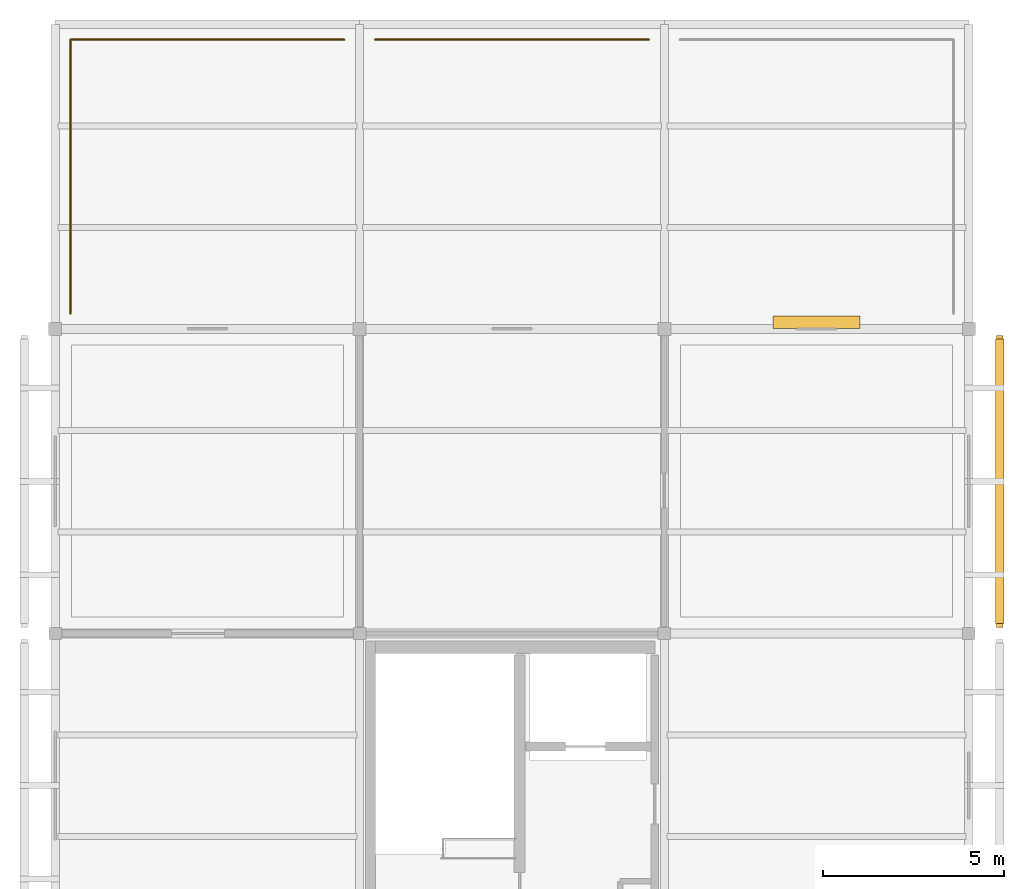
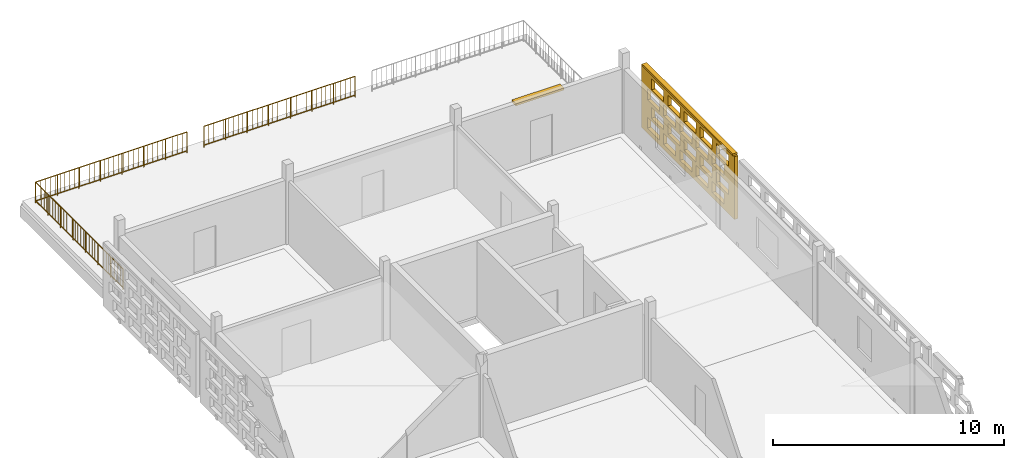
# One storey, part 12 of 13: 3 railings, 2 shading devices, 1 covering, 20 openings.
"""IFC4 building model written with IfcOpenShell, lengths in metres."""

from ifc_helpers import new_model, si_unit, direction, frame, frame_2d, origin, origin_2d, place, context, subcontext, project, spatial, rectangle, circle, extrude, material, layer, layer_set, type_object, element, save


model = new_model("IFC4")

# Units and contexts
model_context = context("Model", 3, precision=1e-05, world=origin(), true_north=direction((0.0, 1.0)))
body_context = subcontext(model_context, "Body", "Model", "MODEL_VIEW")
ifc_project = project(units=[si_unit("LENGTHUNIT", "METRE"), si_unit("AREAUNIT", "SQUARE_METRE"), si_unit("VOLUMEUNIT", "CUBIC_METRE"), si_unit("PLANEANGLEUNIT", "RADIAN"), si_unit("MASSUNIT", "GRAM", prefix="KILO")], contexts=[model_context])

# Site, building, storey
site_placement = place(None, origin())
site = spatial("IfcSite", under=ifc_project, at=site_placement, CompositionType="ELEMENT")
building_placement = place(site_placement, origin())
building = spatial("IfcBuilding", under=site, at=building_placement, Name="Varnapada Polytechnic", CompositionType="ELEMENT")
storey_placement = place(building_placement, frame((0.0, 0.0, 26.39990234375)))
storey = spatial("IfcBuildingStorey", under=building, at=storey_placement, Name="L06", CompositionType="ELEMENT", Elevation=26.39990234375)

# Shading device
ifc_material_1 = material(Name="Anodised aluminium", Category="aluminium")
ifc_layer_1 = layer(ifc_material_1, 0.35009765625)
ifc_layer_set_1 = layer_set([ifc_layer_1], Name="Anodised aluminium")
shading_device_type_1 = type_object("IfcShadingDeviceType", Name="Solar Louvre LVR-01", PredefinedType="JALOUSIE", material=ifc_layer_set_1)
shading_device_1_placement = place(storey_placement, frame((21.0, 117.780029296875, 3.16015625), z_axis=(0.0, 0.0, 1.0), x_axis=(1.0, 0.0, 0.0)))
element("IfcShadingDevice", 1, at=shading_device_1_placement, inside=storey, type_object=shading_device_type_1, Name="L06 aluminium sun louvre 19", PredefinedType="JALOUSIE", context=body_context, shape_type="SweptSolid", body=[
    extrude(rectangle(XDim=2.39990234375, YDim=0.340087890625, at=origin_2d()), origin(), (0.0, 0.0, 1.0), 0.1201171875),
])

# Railings
ifc_material_2 = material(Name="Painted galvanized steel", Category="steel")
railing_type = type_object("IfcRailingType", Name="Terrace Guard Rail GRD-01", PredefinedType="BALUSTRADE", material=ifc_material_2)
railing_1_placement = place(storey_placement, frame((0.419921875, 125.580078125, 0.0)))
element("IfcRailing", 2, at=railing_1_placement, inside=storey, type_object=railing_type, Name="L06 terrace perimeter guard rail 3", PredefinedType="BALUSTRADE", context=body_context, shape_type="SweptSolid", body=[
    extrude(circle(Radius=0.02392578125, at=origin_2d()), frame((0.0, 0.0, 1.09619140625), z_axis=(1.0, 0.0, 0.0), x_axis=(0.0, 1.0, 0.0)), (0.0, 0.0, 1.0), 7.56005859375),
    extrude(circle(Radius=0.02392578125, at=origin_2d()), frame((0.0, 0.0, 0.10009765625), z_axis=(1.0, 0.0, 0.0), x_axis=(0.0, 1.0, 0.0)), (0.0, 0.0, 1.0), 7.56005859375),
    extrude(circle(Radius=0.02099609375, at=origin_2d()), origin(), (0.0, 0.0, 1.0), 1.072021484375),
    extrude(circle(Radius=0.02099609375, at=origin_2d()), frame((1.080078125, 0.0, 0.0)), (0.0, 0.0, 1.0), 1.072021484375),
    extrude(circle(Radius=0.02099609375, at=origin_2d()), frame((2.159912109375, 0.0, 0.0)), (0.0, 0.0, 1.0), 1.072021484375),
    extrude(circle(Radius=0.02099609375, at=origin_2d()), frame((3.239990234375, 0.0, 0.0)), (0.0, 0.0, 1.0), 1.072021484375),
    extrude(circle(Radius=0.02099609375, at=origin_2d()), frame((4.320068359375, 0.0, 0.0)), (0.0, 0.0, 1.0), 1.072021484375),
    extrude(circle(Radius=0.02099609375, at=origin_2d()), frame((5.400146484375, 0.0, 0.0)), (0.0, 0.0, 1.0), 1.072021484375),
    extrude(circle(Radius=0.02099609375, at=origin_2d()), frame((6.47998046875, 0.0, 0.0)), (0.0, 0.0, 1.0), 1.072021484375),
    extrude(circle(Radius=0.02099609375, at=origin_2d()), frame((7.56005859375, 0.0, 0.0)), (0.0, 0.0, 1.0), 1.072021484375),
    extrude(circle(Radius=0.010009765625, at=origin_2d()), frame((0.243896484375, 0.0, 0.10009765625)), (0.0, 0.0, 1.0), 0.971923828125),
    extrude(circle(Radius=0.010009765625, at=origin_2d()), frame((0.48779296875, 0.0, 0.10009765625)), (0.0, 0.0, 1.0), 0.971923828125),
    extrude(circle(Radius=0.010009765625, at=origin_2d()), frame((0.731689453125, 0.0, 0.10009765625)), (0.0, 0.0, 1.0), 0.971923828125),
    extrude(circle(Radius=0.010009765625, at=origin_2d()), frame((0.9755859375, 0.0, 0.10009765625)), (0.0, 0.0, 1.0), 0.971923828125),
    extrude(circle(Radius=0.010009765625, at=origin_2d()), frame((1.219482421875, 0.0, 0.10009765625)), (0.0, 0.0, 1.0), 0.971923828125),
    extrude(circle(Radius=0.010009765625, at=origin_2d()), frame((1.463134765625, 0.0, 0.10009765625)), (0.0, 0.0, 1.0), 0.971923828125),
    extrude(circle(Radius=0.010009765625, at=origin_2d()), frame((1.70703125, 0.0, 0.10009765625)), (0.0, 0.0, 1.0), 0.971923828125),
    extrude(circle(Radius=0.010009765625, at=origin_2d()), frame((1.950927734375, 0.0, 0.10009765625)), (0.0, 0.0, 1.0), 0.971923828125),
    extrude(circle(Radius=0.010009765625, at=origin_2d()), frame((2.19482421875, 0.0, 0.10009765625)), (0.0, 0.0, 1.0), 0.971923828125),
    extrude(circle(Radius=0.010009765625, at=origin_2d()), frame((2.438720703125, 0.0, 0.10009765625)), (0.0, 0.0, 1.0), 0.971923828125),
    extrude(circle(Radius=0.010009765625, at=origin_2d()), frame((2.6826171875, 0.0, 0.10009765625)), (0.0, 0.0, 1.0), 0.971923828125),
    extrude(circle(Radius=0.010009765625, at=origin_2d()), frame((2.926513671875, 0.0, 0.10009765625)), (0.0, 0.0, 1.0), 0.971923828125),
    extrude(circle(Radius=0.010009765625, at=origin_2d()), frame((3.17041015625, 0.0, 0.10009765625)), (0.0, 0.0, 1.0), 0.971923828125),
    extrude(circle(Radius=0.010009765625, at=origin_2d()), frame((3.414306640625, 0.0, 0.10009765625)), (0.0, 0.0, 1.0), 0.971923828125),
    extrude(circle(Radius=0.010009765625, at=origin_2d()), frame((3.658203125, 0.0, 0.10009765625)), (0.0, 0.0, 1.0), 0.971923828125),
    extrude(circle(Radius=0.010009765625, at=origin_2d()), frame((3.90185546875, 0.0, 0.10009765625)), (0.0, 0.0, 1.0), 0.971923828125),
    extrude(circle(Radius=0.010009765625, at=origin_2d()), frame((4.145751953125, 0.0, 0.10009765625)), (0.0, 0.0, 1.0), 0.971923828125),
    extrude(circle(Radius=0.010009765625, at=origin_2d()), frame((4.3896484375, 0.0, 0.10009765625)), (0.0, 0.0, 1.0), 0.971923828125),
    extrude(circle(Radius=0.010009765625, at=origin_2d()), frame((4.633544921875, 0.0, 0.10009765625)), (0.0, 0.0, 1.0), 0.971923828125),
    extrude(circle(Radius=0.010009765625, at=origin_2d()), frame((4.87744140625, 0.0, 0.10009765625)), (0.0, 0.0, 1.0), 0.971923828125),
    extrude(circle(Radius=0.010009765625, at=origin_2d()), frame((5.121337890625, 0.0, 0.10009765625)), (0.0, 0.0, 1.0), 0.971923828125),
    extrude(circle(Radius=0.010009765625, at=origin_2d()), frame((5.365234375, 0.0, 0.10009765625)), (0.0, 0.0, 1.0), 0.971923828125),
    extrude(circle(Radius=0.010009765625, at=origin_2d()), frame((5.609130859375, 0.0, 0.10009765625)), (0.0, 0.0, 1.0), 0.971923828125),
    extrude(circle(Radius=0.010009765625, at=origin_2d()), frame((5.85302734375, 0.0, 0.10009765625)), (0.0, 0.0, 1.0), 0.971923828125),
    extrude(circle(Radius=0.010009765625, at=origin_2d()), frame((6.096923828125, 0.0, 0.10009765625)), (0.0, 0.0, 1.0), 0.971923828125),
    extrude(circle(Radius=0.010009765625, at=origin_2d()), frame((6.340576171875, 0.0, 0.10009765625)), (0.0, 0.0, 1.0), 0.971923828125),
    extrude(circle(Radius=0.010009765625, at=origin_2d()), frame((6.58447265625, 0.0, 0.10009765625)), (0.0, 0.0, 1.0), 0.971923828125),
    extrude(circle(Radius=0.010009765625, at=origin_2d()), frame((6.828369140625, 0.0, 0.10009765625)), (0.0, 0.0, 1.0), 0.971923828125),
    extrude(circle(Radius=0.010009765625, at=origin_2d()), frame((7.072265625, 0.0, 0.10009765625)), (0.0, 0.0, 1.0), 0.971923828125),
    extrude(circle(Radius=0.010009765625, at=origin_2d()), frame((7.316162109375, 0.0, 0.10009765625)), (0.0, 0.0, 1.0), 0.971923828125),
])
railing_2_placement = place(storey_placement, frame((0.419921875, 118.02001953125, 0.0)))
element("IfcRailing", 3, at=railing_2_placement, inside=storey, type_object=railing_type, Name="L06 terrace perimeter guard rail 4", PredefinedType="BALUSTRADE", context=body_context, shape_type="SweptSolid", body=[
    extrude(circle(Radius=0.02392578125, at=origin_2d()), frame((0.0, 0.0, 1.09619140625), z_axis=(0.0, 1.0, 0.0), x_axis=(-1.0, 0.0, 0.0)), (0.0, 0.0, 1.0), 7.56005859375),
    extrude(circle(Radius=0.02392578125, at=origin_2d()), frame((0.0, 0.0, 0.10009765625), z_axis=(0.0, 1.0, 0.0), x_axis=(-1.0, 0.0, 0.0)), (0.0, 0.0, 1.0), 7.56005859375),
    extrude(circle(Radius=0.02099609375, at=origin_2d()), origin(), (0.0, 0.0, 1.0), 1.072021484375),
    extrude(circle(Radius=0.02099609375, at=origin_2d()), frame((0.0, 1.080078125, 0.0)), (0.0, 0.0, 1.0), 1.072021484375),
    extrude(circle(Radius=0.02099609375, at=origin_2d()), frame((0.0, 2.159912109375, 0.0)), (0.0, 0.0, 1.0), 1.072021484375),
    extrude(circle(Radius=0.02099609375, at=origin_2d()), frame((0.0, 3.239990234375, 0.0)), (0.0, 0.0, 1.0), 1.072021484375),
    extrude(circle(Radius=0.02099609375, at=origin_2d()), frame((0.0, 4.320068359375, 0.0)), (0.0, 0.0, 1.0), 1.072021484375),
    extrude(circle(Radius=0.02099609375, at=origin_2d()), frame((0.0, 5.400146484375, 0.0)), (0.0, 0.0, 1.0), 1.072021484375),
    extrude(circle(Radius=0.02099609375, at=origin_2d()), frame((0.0, 6.47998046875, 0.0)), (0.0, 0.0, 1.0), 1.072021484375),
    extrude(circle(Radius=0.02099609375, at=origin_2d()), frame((0.0, 7.56005859375, 0.0)), (0.0, 0.0, 1.0), 1.072021484375),
    extrude(circle(Radius=0.010009765625, at=origin_2d()), frame((0.0, 0.243896484375, 0.10009765625)), (0.0, 0.0, 1.0), 0.971923828125),
    extrude(circle(Radius=0.010009765625, at=origin_2d()), frame((0.0, 0.48779296875, 0.10009765625)), (0.0, 0.0, 1.0), 0.971923828125),
    extrude(circle(Radius=0.010009765625, at=origin_2d()), frame((0.0, 0.731689453125, 0.10009765625)), (0.0, 0.0, 1.0), 0.971923828125),
    extrude(circle(Radius=0.010009765625, at=origin_2d()), frame((0.0, 0.9755859375, 0.10009765625)), (0.0, 0.0, 1.0), 0.971923828125),
    extrude(circle(Radius=0.010009765625, at=origin_2d()), frame((0.0, 1.219482421875, 0.10009765625)), (0.0, 0.0, 1.0), 0.971923828125),
    extrude(circle(Radius=0.010009765625, at=origin_2d()), frame((0.0, 1.463134765625, 0.10009765625)), (0.0, 0.0, 1.0), 0.971923828125),
    extrude(circle(Radius=0.010009765625, at=origin_2d()), frame((0.0, 1.70703125, 0.10009765625)), (0.0, 0.0, 1.0), 0.971923828125),
    extrude(circle(Radius=0.010009765625, at=origin_2d()), frame((0.0, 1.950927734375, 0.10009765625)), (0.0, 0.0, 1.0), 0.971923828125),
    extrude(circle(Radius=0.010009765625, at=origin_2d()), frame((0.0, 2.19482421875, 0.10009765625)), (0.0, 0.0, 1.0), 0.971923828125),
    extrude(circle(Radius=0.010009765625, at=origin_2d()), frame((0.0, 2.438720703125, 0.10009765625)), (0.0, 0.0, 1.0), 0.971923828125),
    extrude(circle(Radius=0.010009765625, at=origin_2d()), frame((0.0, 2.6826171875, 0.10009765625)), (0.0, 0.0, 1.0), 0.971923828125),
    extrude(circle(Radius=0.010009765625, at=origin_2d()), frame((0.0, 2.926513671875, 0.10009765625)), (0.0, 0.0, 1.0), 0.971923828125),
    extrude(circle(Radius=0.010009765625, at=origin_2d()), frame((0.0, 3.17041015625, 0.10009765625)), (0.0, 0.0, 1.0), 0.971923828125),
    extrude(circle(Radius=0.010009765625, at=origin_2d()), frame((0.0, 3.414306640625, 0.10009765625)), (0.0, 0.0, 1.0), 0.971923828125),
    extrude(circle(Radius=0.010009765625, at=origin_2d()), frame((0.0, 3.658203125, 0.10009765625)), (0.0, 0.0, 1.0), 0.971923828125),
    extrude(circle(Radius=0.010009765625, at=origin_2d()), frame((0.0, 3.90185546875, 0.10009765625)), (0.0, 0.0, 1.0), 0.971923828125),
    extrude(circle(Radius=0.010009765625, at=origin_2d()), frame((0.0, 4.145751953125, 0.10009765625)), (0.0, 0.0, 1.0), 0.971923828125),
    extrude(circle(Radius=0.010009765625, at=origin_2d()), frame((0.0, 4.3896484375, 0.10009765625)), (0.0, 0.0, 1.0), 0.971923828125),
    extrude(circle(Radius=0.010009765625, at=origin_2d()), frame((0.0, 4.633544921875, 0.10009765625)), (0.0, 0.0, 1.0), 0.971923828125),
    extrude(circle(Radius=0.010009765625, at=origin_2d()), frame((0.0, 4.87744140625, 0.10009765625)), (0.0, 0.0, 1.0), 0.971923828125),
    extrude(circle(Radius=0.010009765625, at=origin_2d()), frame((0.0, 5.121337890625, 0.10009765625)), (0.0, 0.0, 1.0), 0.971923828125),
    extrude(circle(Radius=0.010009765625, at=origin_2d()), frame((0.0, 5.365234375, 0.10009765625)), (0.0, 0.0, 1.0), 0.971923828125),
    extrude(circle(Radius=0.010009765625, at=origin_2d()), frame((0.0, 5.609130859375, 0.10009765625)), (0.0, 0.0, 1.0), 0.971923828125),
    extrude(circle(Radius=0.010009765625, at=origin_2d()), frame((0.0, 5.85302734375, 0.10009765625)), (0.0, 0.0, 1.0), 0.971923828125),
    extrude(circle(Radius=0.010009765625, at=origin_2d()), frame((0.0, 6.096923828125, 0.10009765625)), (0.0, 0.0, 1.0), 0.971923828125),
    extrude(circle(Radius=0.010009765625, at=origin_2d()), frame((0.0, 6.340576171875, 0.10009765625)), (0.0, 0.0, 1.0), 0.971923828125),
    extrude(circle(Radius=0.010009765625, at=origin_2d()), frame((0.0, 6.58447265625, 0.10009765625)), (0.0, 0.0, 1.0), 0.971923828125),
    extrude(circle(Radius=0.010009765625, at=origin_2d()), frame((0.0, 6.828369140625, 0.10009765625)), (0.0, 0.0, 1.0), 0.971923828125),
    extrude(circle(Radius=0.010009765625, at=origin_2d()), frame((0.0, 7.072265625, 0.10009765625)), (0.0, 0.0, 1.0), 0.971923828125),
    extrude(circle(Radius=0.010009765625, at=origin_2d()), frame((0.0, 7.316162109375, 0.10009765625)), (0.0, 0.0, 1.0), 0.971923828125),
])
railing_3_placement = place(storey_placement, frame((8.820068359375, 125.580078125, 0.0)))
element("IfcRailing", 4, at=railing_3_placement, inside=storey, type_object=railing_type, Name="L06 terrace perimeter guard rail 6", PredefinedType="BALUSTRADE", context=body_context, shape_type="SweptSolid", body=[
    extrude(circle(Radius=0.02392578125, at=origin_2d()), frame((0.0, 0.0, 1.09619140625), z_axis=(1.0, 0.0, 0.0), x_axis=(0.0, 1.0, 0.0)), (0.0, 0.0, 1.0), 7.559814453125),
    extrude(circle(Radius=0.02392578125, at=origin_2d()), frame((0.0, 0.0, 0.10009765625), z_axis=(1.0, 0.0, 0.0), x_axis=(0.0, 1.0, 0.0)), (0.0, 0.0, 1.0), 7.559814453125),
    extrude(circle(Radius=0.02099609375, at=origin_2d()), origin(), (0.0, 0.0, 1.0), 1.072021484375),
    extrude(circle(Radius=0.02099609375, at=origin_2d()), frame((1.080078125, 0.0, 0.0)), (0.0, 0.0, 1.0), 1.072021484375),
    extrude(circle(Radius=0.02099609375, at=origin_2d()), frame((2.159912109375, 0.0, 0.0)), (0.0, 0.0, 1.0), 1.072021484375),
    extrude(circle(Radius=0.02099609375, at=origin_2d()), frame((3.239990234375, 0.0, 0.0)), (0.0, 0.0, 1.0), 1.072021484375),
    extrude(circle(Radius=0.02099609375, at=origin_2d()), frame((4.31982421875, 0.0, 0.0)), (0.0, 0.0, 1.0), 1.072021484375),
    extrude(circle(Radius=0.02099609375, at=origin_2d()), frame((5.39990234375, 0.0, 0.0)), (0.0, 0.0, 1.0), 1.072021484375),
    extrude(circle(Radius=0.02099609375, at=origin_2d()), frame((6.479736328125, 0.0, 0.0)), (0.0, 0.0, 1.0), 1.072021484375),
    extrude(circle(Radius=0.02099609375, at=origin_2d()), frame((7.559814453125, 0.0, 0.0)), (0.0, 0.0, 1.0), 1.072021484375),
    extrude(circle(Radius=0.010009765625, at=origin_2d()), frame((0.243896484375, 0.0, 0.10009765625)), (0.0, 0.0, 1.0), 0.971923828125),
    extrude(circle(Radius=0.010009765625, at=origin_2d()), frame((0.48779296875, 0.0, 0.10009765625)), (0.0, 0.0, 1.0), 0.971923828125),
    extrude(circle(Radius=0.010009765625, at=origin_2d()), frame((0.731689453125, 0.0, 0.10009765625)), (0.0, 0.0, 1.0), 0.971923828125),
    extrude(circle(Radius=0.010009765625, at=origin_2d()), frame((0.975341796875, 0.0, 0.10009765625)), (0.0, 0.0, 1.0), 0.971923828125),
    extrude(circle(Radius=0.010009765625, at=origin_2d()), frame((1.21923828125, 0.0, 0.10009765625)), (0.0, 0.0, 1.0), 0.971923828125),
    extrude(circle(Radius=0.010009765625, at=origin_2d()), frame((1.463134765625, 0.0, 0.10009765625)), (0.0, 0.0, 1.0), 0.971923828125),
    extrude(circle(Radius=0.010009765625, at=origin_2d()), frame((1.70703125, 0.0, 0.10009765625)), (0.0, 0.0, 1.0), 0.971923828125),
    extrude(circle(Radius=0.010009765625, at=origin_2d()), frame((1.950927734375, 0.0, 0.10009765625)), (0.0, 0.0, 1.0), 0.971923828125),
    extrude(circle(Radius=0.010009765625, at=origin_2d()), frame((2.19482421875, 0.0, 0.10009765625)), (0.0, 0.0, 1.0), 0.971923828125),
    extrude(circle(Radius=0.010009765625, at=origin_2d()), frame((2.438720703125, 0.0, 0.10009765625)), (0.0, 0.0, 1.0), 0.971923828125),
    extrude(circle(Radius=0.010009765625, at=origin_2d()), frame((2.6826171875, 0.0, 0.10009765625)), (0.0, 0.0, 1.0), 0.971923828125),
    extrude(circle(Radius=0.010009765625, at=origin_2d()), frame((2.92626953125, 0.0, 0.10009765625)), (0.0, 0.0, 1.0), 0.971923828125),
    extrude(circle(Radius=0.010009765625, at=origin_2d()), frame((3.170166015625, 0.0, 0.10009765625)), (0.0, 0.0, 1.0), 0.971923828125),
    extrude(circle(Radius=0.010009765625, at=origin_2d()), frame((3.4140625, 0.0, 0.10009765625)), (0.0, 0.0, 1.0), 0.971923828125),
    extrude(circle(Radius=0.010009765625, at=origin_2d()), frame((3.657958984375, 0.0, 0.10009765625)), (0.0, 0.0, 1.0), 0.971923828125),
    extrude(circle(Radius=0.010009765625, at=origin_2d()), frame((3.90185546875, 0.0, 0.10009765625)), (0.0, 0.0, 1.0), 0.971923828125),
    extrude(circle(Radius=0.010009765625, at=origin_2d()), frame((4.145751953125, 0.0, 0.10009765625)), (0.0, 0.0, 1.0), 0.971923828125),
    extrude(circle(Radius=0.010009765625, at=origin_2d()), frame((4.3896484375, 0.0, 0.10009765625)), (0.0, 0.0, 1.0), 0.971923828125),
    extrude(circle(Radius=0.010009765625, at=origin_2d()), frame((4.633544921875, 0.0, 0.10009765625)), (0.0, 0.0, 1.0), 0.971923828125),
    extrude(circle(Radius=0.010009765625, at=origin_2d()), frame((4.877197265625, 0.0, 0.10009765625)), (0.0, 0.0, 1.0), 0.971923828125),
    extrude(circle(Radius=0.010009765625, at=origin_2d()), frame((5.12109375, 0.0, 0.10009765625)), (0.0, 0.0, 1.0), 0.971923828125),
    extrude(circle(Radius=0.010009765625, at=origin_2d()), frame((5.364990234375, 0.0, 0.10009765625)), (0.0, 0.0, 1.0), 0.971923828125),
    extrude(circle(Radius=0.010009765625, at=origin_2d()), frame((5.60888671875, 0.0, 0.10009765625)), (0.0, 0.0, 1.0), 0.971923828125),
    extrude(circle(Radius=0.010009765625, at=origin_2d()), frame((5.852783203125, 0.0, 0.10009765625)), (0.0, 0.0, 1.0), 0.971923828125),
    extrude(circle(Radius=0.010009765625, at=origin_2d()), frame((6.0966796875, 0.0, 0.10009765625)), (0.0, 0.0, 1.0), 0.971923828125),
    extrude(circle(Radius=0.010009765625, at=origin_2d()), frame((6.340576171875, 0.0, 0.10009765625)), (0.0, 0.0, 1.0), 0.971923828125),
    extrude(circle(Radius=0.010009765625, at=origin_2d()), frame((6.58447265625, 0.0, 0.10009765625)), (0.0, 0.0, 1.0), 0.971923828125),
    extrude(circle(Radius=0.010009765625, at=origin_2d()), frame((6.828125, 0.0, 0.10009765625)), (0.0, 0.0, 1.0), 0.971923828125),
    extrude(circle(Radius=0.010009765625, at=origin_2d()), frame((7.072021484375, 0.0, 0.10009765625)), (0.0, 0.0, 1.0), 0.971923828125),
    extrude(circle(Radius=0.010009765625, at=origin_2d()), frame((7.31591796875, 0.0, 0.10009765625)), (0.0, 0.0, 1.0), 0.971923828125),
])

# Covering, openings
ifc_material_3 = material(Name="Earth-toned architectural terracotta screen block", Category="masonry")
ifc_layer_2 = layer(ifc_material_3, 0.1201171875)
ifc_layer_set_2 = layer_set([ifc_layer_2], Name="Earth-toned architectural terracotta screen block")
covering_type = type_object("IfcCoveringType", Name="Terracotta Screen Cladding CLD-01", PredefinedType="CLADDING", material=ifc_layer_set_2)
covering_placement = place(storey_placement, frame((26.050048828125, 117.419921875, 0.0), z_axis=(0.0, 0.0, 1.0), x_axis=(0.0, -1.0, 0.0)))
covering = element("IfcCovering", 5, at=covering_placement, inside=storey, type_object=covering_type, Name="L06 perforated terracotta block screen (20)", PredefinedType="CLADDING", context=body_context, shape_type="SweptSolid", body=[
    extrude(rectangle(XDim=8.0498046875, YDim=0.179931640625, at=frame_2d((4.02490234375, 0.0))), origin(), (0.0, 0.0, 1.0), 3.320068359375),
])
opening_1_placement = place(covering_placement, frame((0.52490234375, 0.0, 0.265625)))
element("IfcOpeningElement", 6, at=opening_1_placement, cuts=covering, Name="Screen perforation TBS-L06-019.1", PredefinedType="OPENING", context=body_context, shape_type="SweptSolid", body=[
    extrude(rectangle(XDim=1.0400390625, YDim=0.5810546875, at=frame_2d((0.52001953125, 0.29052734375))), frame((0.0, 0.099853515625, 0.0), z_axis=(0.0, -1.0, 0.0), x_axis=(1.0, 0.0, 0.0)), (0.0, 0.0, 1.0), 0.199951171875),
])
opening_2_placement = place(covering_placement, frame((1.925048828125, 0.0, 0.265625)))
element("IfcOpeningElement", 7, at=opening_2_placement, cuts=covering, Name="Screen perforation TBS-L06-019.2", PredefinedType="OPENING", context=body_context, shape_type="SweptSolid", body=[
    extrude(rectangle(XDim=1.0400390625, YDim=0.5810546875, at=frame_2d((0.52001953125, 0.29052734375))), frame((0.0, 0.099853515625, 0.0), z_axis=(0.0, -1.0, 0.0), x_axis=(1.0, 0.0, 0.0)), (0.0, 0.0, 1.0), 0.199951171875),
])
opening_3_placement = place(covering_placement, frame((3.324951171875, 0.0, 0.265625)))
element("IfcOpeningElement", 8, at=opening_3_placement, cuts=covering, Name="Screen perforation TBS-L06-019.3", PredefinedType="OPENING", context=body_context, shape_type="SweptSolid", body=[
    extrude(rectangle(XDim=1.0400390625, YDim=0.5810546875, at=frame_2d((0.52001953125, 0.29052734375))), frame((0.0, 0.099853515625, 0.0), z_axis=(0.0, -1.0, 0.0), x_axis=(1.0, 0.0, 0.0)), (0.0, 0.0, 1.0), 0.199951171875),
])
opening_4_placement = place(covering_placement, frame((4.72509765625, 0.0, 0.265625)))
element("IfcOpeningElement", 9, at=opening_4_placement, cuts=covering, Name="Screen perforation TBS-L06-019.4", PredefinedType="OPENING", context=body_context, shape_type="SweptSolid", body=[
    extrude(rectangle(XDim=1.0400390625, YDim=0.5810546875, at=frame_2d((0.52001953125, 0.29052734375))), frame((0.0, 0.099853515625, 0.0), z_axis=(0.0, -1.0, 0.0), x_axis=(1.0, 0.0, 0.0)), (0.0, 0.0, 1.0), 0.199951171875),
])
opening_5_placement = place(covering_placement, frame((6.125, 0.0, 0.265625)))
element("IfcOpeningElement", 10, at=opening_5_placement, cuts=covering, Name="Screen perforation TBS-L06-019.5", PredefinedType="OPENING", context=body_context, shape_type="SweptSolid", body=[
    extrude(rectangle(XDim=1.0400390625, YDim=0.5810546875, at=frame_2d((0.52001953125, 0.29052734375))), frame((0.0, 0.099853515625, 0.0), z_axis=(0.0, -1.0, 0.0), x_axis=(1.0, 0.0, 0.0)), (0.0, 0.0, 1.0), 0.199951171875),
])
opening_6_placement = place(covering_placement, frame((0.885009765625, 0.0, 1.0126953125)))
element("IfcOpeningElement", 11, at=opening_6_placement, cuts=covering, Name="Screen perforation TBS-L06-019.6", PredefinedType="OPENING", context=body_context, shape_type="SweptSolid", body=[
    extrude(rectangle(XDim=1.0400390625, YDim=0.5810546875, at=frame_2d((0.52001953125, 0.29052734375))), frame((0.0, 0.099853515625, 0.0), z_axis=(0.0, -1.0, 0.0), x_axis=(1.0, 0.0, 0.0)), (0.0, 0.0, 1.0), 0.199951171875),
])
opening_7_placement = place(covering_placement, frame((2.284912109375, 0.0, 1.0126953125)))
element("IfcOpeningElement", 12, at=opening_7_placement, cuts=covering, Name="Screen perforation TBS-L06-019.7", PredefinedType="OPENING", context=body_context, shape_type="SweptSolid", body=[
    extrude(rectangle(XDim=1.0400390625, YDim=0.5810546875, at=frame_2d((0.52001953125, 0.29052734375))), frame((0.0, 0.099853515625, 0.0), z_axis=(0.0, -1.0, 0.0), x_axis=(1.0, 0.0, 0.0)), (0.0, 0.0, 1.0), 0.199951171875),
])
opening_8_placement = place(covering_placement, frame((3.68505859375, 0.0, 1.0126953125)))
element("IfcOpeningElement", 13, at=opening_8_placement, cuts=covering, Name="Screen perforation TBS-L06-019.8", PredefinedType="OPENING", context=body_context, shape_type="SweptSolid", body=[
    extrude(rectangle(XDim=1.0400390625, YDim=0.5810546875, at=frame_2d((0.52001953125, 0.29052734375))), frame((0.0, 0.099853515625, 0.0), z_axis=(0.0, -1.0, 0.0), x_axis=(1.0, 0.0, 0.0)), (0.0, 0.0, 1.0), 0.199951171875),
])
opening_9_placement = place(covering_placement, frame((5.0849609375, 0.0, 1.0126953125)))
element("IfcOpeningElement", 14, at=opening_9_placement, cuts=covering, Name="Screen perforation TBS-L06-019.9", PredefinedType="OPENING", context=body_context, shape_type="SweptSolid", body=[
    extrude(rectangle(XDim=1.0400390625, YDim=0.5810546875, at=frame_2d((0.52001953125, 0.29052734375))), frame((0.0, 0.099853515625, 0.0), z_axis=(0.0, -1.0, 0.0), x_axis=(1.0, 0.0, 0.0)), (0.0, 0.0, 1.0), 0.199951171875),
])
opening_10_placement = place(covering_placement, frame((6.485107421875, 0.0, 1.0126953125)))
element("IfcOpeningElement", 15, at=opening_10_placement, cuts=covering, Name="Screen perforation TBS-L06-019.10", PredefinedType="OPENING", context=body_context, shape_type="SweptSolid", body=[
    extrude(rectangle(XDim=1.0400390625, YDim=0.5810546875, at=frame_2d((0.52001953125, 0.29052734375))), frame((0.0, 0.099853515625, 0.0), z_axis=(0.0, -1.0, 0.0), x_axis=(1.0, 0.0, 0.0)), (0.0, 0.0, 1.0), 0.199951171875),
])
opening_11_placement = place(covering_placement, frame((0.52490234375, 0.0, 1.759521484375)))
element("IfcOpeningElement", 16, at=opening_11_placement, cuts=covering, Name="Screen perforation TBS-L06-019.11", PredefinedType="OPENING", context=body_context, shape_type="SweptSolid", body=[
    extrude(rectangle(XDim=1.0400390625, YDim=0.5810546875, at=frame_2d((0.52001953125, 0.29052734375))), frame((0.0, 0.099853515625, 0.0), z_axis=(0.0, -1.0, 0.0), x_axis=(1.0, 0.0, 0.0)), (0.0, 0.0, 1.0), 0.199951171875),
])
opening_12_placement = place(covering_placement, frame((1.925048828125, 0.0, 1.759521484375)))
element("IfcOpeningElement", 17, at=opening_12_placement, cuts=covering, Name="Screen perforation TBS-L06-019.12", PredefinedType="OPENING", context=body_context, shape_type="SweptSolid", body=[
    extrude(rectangle(XDim=1.0400390625, YDim=0.5810546875, at=frame_2d((0.52001953125, 0.29052734375))), frame((0.0, 0.099853515625, 0.0), z_axis=(0.0, -1.0, 0.0), x_axis=(1.0, 0.0, 0.0)), (0.0, 0.0, 1.0), 0.199951171875),
])
opening_13_placement = place(covering_placement, frame((3.324951171875, 0.0, 1.759521484375)))
element("IfcOpeningElement", 18, at=opening_13_placement, cuts=covering, Name="Screen perforation TBS-L06-019.13", PredefinedType="OPENING", context=body_context, shape_type="SweptSolid", body=[
    extrude(rectangle(XDim=1.0400390625, YDim=0.5810546875, at=frame_2d((0.52001953125, 0.29052734375))), frame((0.0, 0.099853515625, 0.0), z_axis=(0.0, -1.0, 0.0), x_axis=(1.0, 0.0, 0.0)), (0.0, 0.0, 1.0), 0.199951171875),
])
opening_14_placement = place(covering_placement, frame((4.72509765625, 0.0, 1.759521484375)))
element("IfcOpeningElement", 19, at=opening_14_placement, cuts=covering, Name="Screen perforation TBS-L06-019.14", PredefinedType="OPENING", context=body_context, shape_type="SweptSolid", body=[
    extrude(rectangle(XDim=1.0400390625, YDim=0.5810546875, at=frame_2d((0.52001953125, 0.29052734375))), frame((0.0, 0.099853515625, 0.0), z_axis=(0.0, -1.0, 0.0), x_axis=(1.0, 0.0, 0.0)), (0.0, 0.0, 1.0), 0.199951171875),
])
opening_15_placement = place(covering_placement, frame((6.125, 0.0, 1.759521484375)))
element("IfcOpeningElement", 20, at=opening_15_placement, cuts=covering, Name="Screen perforation TBS-L06-019.15", PredefinedType="OPENING", context=body_context, shape_type="SweptSolid", body=[
    extrude(rectangle(XDim=1.0400390625, YDim=0.5810546875, at=frame_2d((0.52001953125, 0.29052734375))), frame((0.0, 0.099853515625, 0.0), z_axis=(0.0, -1.0, 0.0), x_axis=(1.0, 0.0, 0.0)), (0.0, 0.0, 1.0), 0.199951171875),
])
opening_16_placement = place(covering_placement, frame((0.885009765625, 0.0, 2.506591796875)))
element("IfcOpeningElement", 21, at=opening_16_placement, cuts=covering, Name="Screen perforation TBS-L06-019.16", PredefinedType="OPENING", context=body_context, shape_type="SweptSolid", body=[
    extrude(rectangle(XDim=1.0400390625, YDim=0.5810546875, at=frame_2d((0.52001953125, 0.29052734375))), frame((0.0, 0.099853515625, 0.0), z_axis=(0.0, -1.0, 0.0), x_axis=(1.0, 0.0, 0.0)), (0.0, 0.0, 1.0), 0.199951171875),
])
opening_17_placement = place(covering_placement, frame((2.284912109375, 0.0, 2.506591796875)))
element("IfcOpeningElement", 22, at=opening_17_placement, cuts=covering, Name="Screen perforation TBS-L06-019.17", PredefinedType="OPENING", context=body_context, shape_type="SweptSolid", body=[
    extrude(rectangle(XDim=1.0400390625, YDim=0.5810546875, at=frame_2d((0.52001953125, 0.29052734375))), frame((0.0, 0.099853515625, 0.0), z_axis=(0.0, -1.0, 0.0), x_axis=(1.0, 0.0, 0.0)), (0.0, 0.0, 1.0), 0.199951171875),
])
opening_18_placement = place(covering_placement, frame((3.68505859375, 0.0, 2.506591796875)))
element("IfcOpeningElement", 23, at=opening_18_placement, cuts=covering, Name="Screen perforation TBS-L06-019.18", PredefinedType="OPENING", context=body_context, shape_type="SweptSolid", body=[
    extrude(rectangle(XDim=1.0400390625, YDim=0.5810546875, at=frame_2d((0.52001953125, 0.29052734375))), frame((0.0, 0.099853515625, 0.0), z_axis=(0.0, -1.0, 0.0), x_axis=(1.0, 0.0, 0.0)), (0.0, 0.0, 1.0), 0.199951171875),
])
opening_19_placement = place(covering_placement, frame((5.0849609375, 0.0, 2.506591796875)))
element("IfcOpeningElement", 24, at=opening_19_placement, cuts=covering, Name="Screen perforation TBS-L06-019.19", PredefinedType="OPENING", context=body_context, shape_type="SweptSolid", body=[
    extrude(rectangle(XDim=1.0400390625, YDim=0.5810546875, at=frame_2d((0.52001953125, 0.29052734375))), frame((0.0, 0.099853515625, 0.0), z_axis=(0.0, -1.0, 0.0), x_axis=(1.0, 0.0, 0.0)), (0.0, 0.0, 1.0), 0.199951171875),
])
opening_20_placement = place(covering_placement, frame((6.485107421875, 0.0, 2.506591796875)))
element("IfcOpeningElement", 25, at=opening_20_placement, cuts=covering, Name="Screen perforation TBS-L06-019.20", PredefinedType="OPENING", context=body_context, shape_type="SweptSolid", body=[
    extrude(rectangle(XDim=1.0400390625, YDim=0.5810546875, at=frame_2d((0.52001953125, 0.29052734375))), frame((0.0, 0.099853515625, 0.0), z_axis=(0.0, -1.0, 0.0), x_axis=(1.0, 0.0, 0.0)), (0.0, 0.0, 1.0), 0.199951171875),
])

# Shading device
ifc_layer_3 = layer(ifc_material_3, 0.179931640625)
ifc_layer_set_3 = layer_set([ifc_layer_3], Name="Earth-toned architectural terracotta screen block")
shading_device_type_2 = type_object("IfcShadingDeviceType", Name="Terracotta Screen SCR-01", PredefinedType="USERDEFINED", material=ifc_layer_set_3)
shading_device_2_placement = place(storey_placement, frame((26.050048828125, 113.39501953125, 3.31005859375), z_axis=(0.0, 0.0, 1.0), x_axis=(0.0, -1.0, 0.0)))
element("IfcShadingDevice", 26, at=shading_device_2_placement, inside=storey, type_object=shading_device_type_2, Name="L06 perforated terracotta screen hood 506", ObjectType="SCREEN", PredefinedType="USERDEFINED", context=body_context, shape_type="SweptSolid", body=[
    extrude(rectangle(XDim=7.85009765625, YDim=0.239990234375, at=origin_2d()), origin(), (0.0, 0.0, 1.0), 0.10009765625),
])

save(model, "model.ifc")
